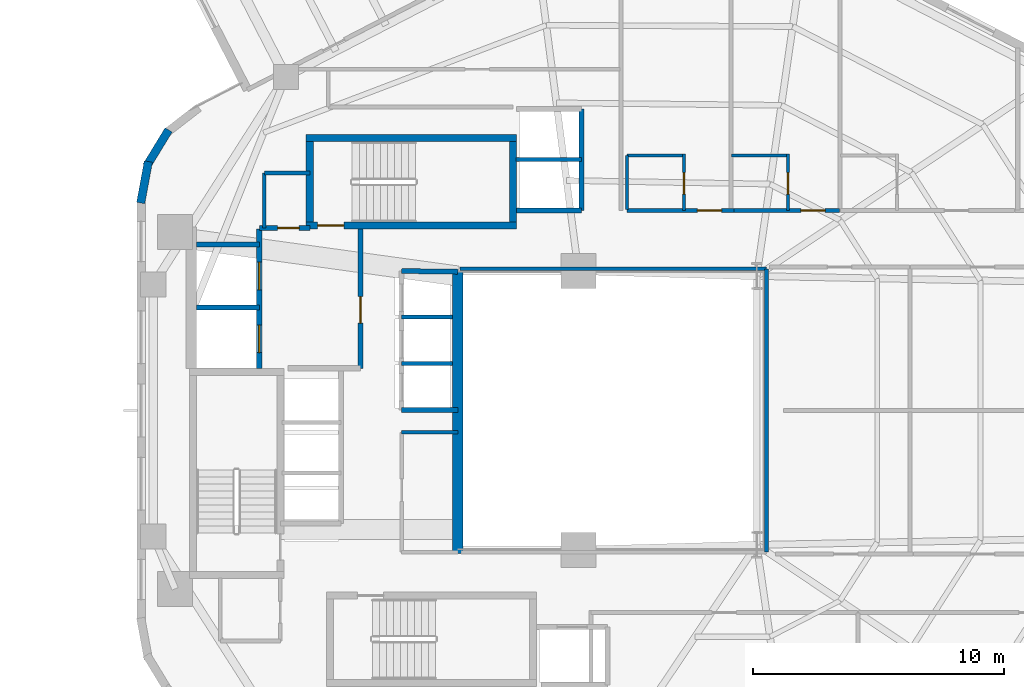
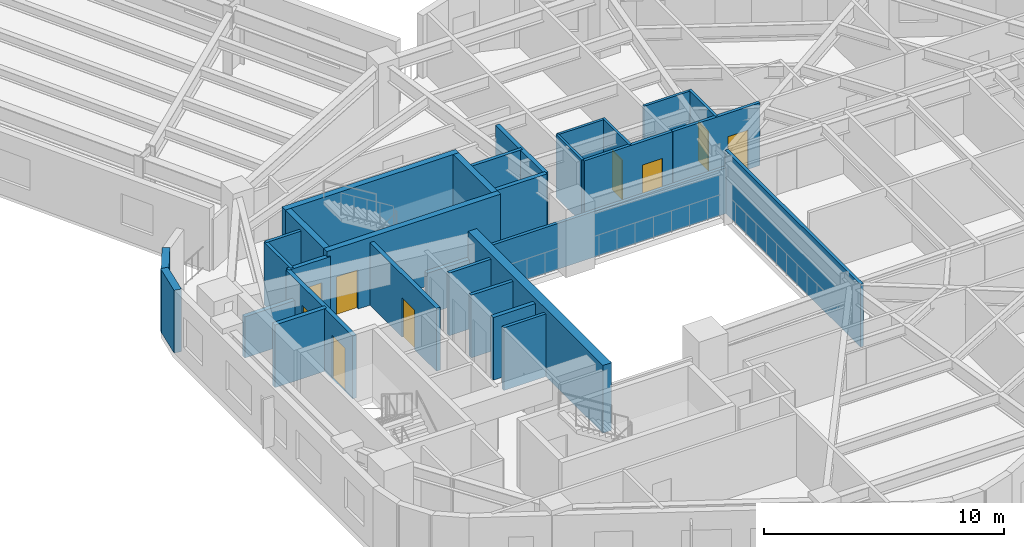
# One storey, part 7 of 11: 31 walls, 9 doors, 9 openings.
"""IFC4 building model written with IfcOpenShell, lengths in metres."""

from ifc_helpers import new_model, si_unit, direction, frame, frame_2d, origin, place, context, subcontext, project, spatial, rectangle, extrude, material, layer, layer_set, type_object, element, fill, save


model = new_model("IFC4")

# Units and contexts
model_context = context("Model", 3, precision=1e-05, world=origin(), true_north=direction((0.0, 1.0)))
body_context = subcontext(model_context, "Body", "Model", "MODEL_VIEW")
ifc_project = project(units=[si_unit("LENGTHUNIT", "METRE"), si_unit("AREAUNIT", "SQUARE_METRE"), si_unit("VOLUMEUNIT", "CUBIC_METRE"), si_unit("PLANEANGLEUNIT", "RADIAN"), si_unit("MASSUNIT", "GRAM", prefix="KILO"), si_unit("THERMODYNAMICTEMPERATUREUNIT", "KELVIN"), si_unit("POWERUNIT", "WATT")], contexts=[model_context])

# Site, building, storey
site_placement = place(None, origin())
site = spatial("IfcSite", under=ifc_project, at=site_placement, CompositionType="ELEMENT")
building_placement = place(site_placement, origin())
building = spatial("IfcBuilding", under=site, at=building_placement, Name="Skarre Station Tower", CompositionType="ELEMENT")
storey_placement = place(building_placement, frame((0.0, 0.0, 146.39990234375)))
storey = spatial("IfcBuildingStorey", under=building, at=storey_placement, Name="L39", CompositionType="ELEMENT", Elevation=146.39990234375)

# Walls
ifc_material_1 = material(Name="Acoustic Steel-Stud Gypsum Partition", Category="steel")
ifc_layer_1 = layer(ifc_material_1, 0.14990234375, Name="Acoustic Steel-Stud Gypsum Partition")
ifc_layer_set_1 = layer_set([ifc_layer_1], Name="Acoustic Steel-Stud Gypsum Partition")
wall_type_1 = type_object("IfcWallType", Name="Fire-Rated Corridor Acoustic Partition 150", PredefinedType="PARTITIONING", material=ifc_layer_set_1)
wall_1_placement = place(storey_placement, frame((25.320068359375, 23.1298828125, 0.0), z_axis=(0.0, 0.0, 1.0), x_axis=(1.0, 0.0, 0.0)))
element("IfcWall", 1, at=wall_1_placement, inside=storey, type_object=wall_type_1, Name="L39 Interior Partition WL-PT-L39-RC1-N3", PredefinedType="PARTITIONING", context=body_context, shape_type="SweptSolid", body=[
    extrude(rectangle(XDim=2.22998046875, YDim=0.14990234375, at=frame_2d((1.114990234375, 0.0))), origin(), (0.0, 0.0, 1.0), 3.190185546875),
])
wall_2_placement = place(storey_placement, frame((19.85009765625, 33.449951171875, 0.0), z_axis=(0.0, 0.0, 1.0), x_axis=(0.0, -1.0, 0.0)))
element("IfcWall", 2, at=wall_2_placement, inside=storey, type_object=wall_type_1, Name="L39 Interior Partition WL-PT-L39-CNW-W", PredefinedType="PARTITIONING", context=body_context, shape_type="SweptSolid", body=[
    extrude(rectangle(XDim=2.18994140625, YDim=0.14990234375, at=frame_2d((1.094970703125, 0.0))), origin(), (0.0, 0.0, 1.0), 3.190185546875),
])
wall_3_placement = place(storey_placement, frame((21.659912109375, 33.449951171875, 0.0), z_axis=(0.0, 0.0, 1.0), x_axis=(-1.0, 0.0, 0.0)))
element("IfcWall", 3, at=wall_3_placement, inside=storey, type_object=wall_type_1, Name="L39 Interior Partition WL-PT-L39-CNW-N1", PredefinedType="PARTITIONING", context=body_context, shape_type="SweptSolid", body=[
    extrude(rectangle(XDim=1.809814453125, YDim=0.14990234375, at=frame_2d((0.90478515625, 0.0))), origin(), (0.0, 0.0, 1.0), 3.190185546875),
])
wall_4_placement = place(storey_placement, frame((39.840087890625, 29.639892578125, 0.0), z_axis=(0.0, 0.0, 1.0), x_axis=(-1.0, 0.0, 0.0)))
element("IfcWall", 4, at=wall_4_placement, inside=storey, type_object=wall_type_1, Name="L39 Interior Partition WL-PT-L39-ATRW-N", PredefinedType="PARTITIONING", context=body_context, shape_type="SweptSolid", body=[
    extrude(rectangle(XDim=12.2001953125, YDim=0.14990234375, at=frame_2d((6.10009765625, 0.0))), origin(), (0.0, 0.0, 1.0), 2.3310546875),
])
wall_5_placement = place(storey_placement, frame((39.840087890625, 18.360107421875, 0.0), z_axis=(0.0, 0.0, 1.0), x_axis=(0.0, 1.0, 0.0)))
element("IfcWall", 5, at=wall_5_placement, inside=storey, type_object=wall_type_1, Name="L39 Interior Partition WL-PT-L39-ATRW-E", PredefinedType="PARTITIONING", context=body_context, shape_type="SweptSolid", body=[
    extrude(rectangle(XDim=11.27978515625, YDim=0.14990234375, at=frame_2d((5.639892578125, 0.0))), origin(), (0.0, 0.0, 1.0), 3.190185546875),
])

# Wall, opening, door
wall_6_placement = place(storey_placement, frame((38.5390625, 31.9599609375, 0.0), z_axis=(0.0, 0.0, 1.0), x_axis=(-1.0, 0.0, 0.0)))
wall_6 = element("IfcWall", 6, at=wall_6_placement, inside=storey, type_object=wall_type_1, Name="L39 Interior Partition WL-PT-L39-NW1-CW", PredefinedType="PARTITIONING", context=body_context, shape_type="SweptSolid", body=[
    extrude(rectangle(XDim=4.2490234375, YDim=0.14990234375, at=frame_2d((2.12451171875, 0.0))), origin(), (0.0, 0.0, 1.0), 3.190185546875),
])
opening_1_placement = place(wall_6_placement, frame((0.488037109375, 0.0, 0.0)))
opening_1 = element("IfcOpeningElement", 7, at=opening_1_placement, cuts=wall_6, Name="Opening DR-FD60", PredefinedType="OPENING", context=body_context, shape_type="SweptSolid", body=[
    extrude(rectangle(XDim=0.9599609375, YDim=2.0, at=frame_2d((0.47998046875, 1.0))), frame((0.0, 0.0849609375, 0.0), z_axis=(0.0, -1.0, 0.0), x_axis=(1.0, 0.0, 0.0)), (0.0, 0.0, 1.0), 0.169921875),
])
ifc_material_2 = material(Name="Nordic White-Oak Veneer Solid-Core Fire Leaf", Category="wood")
door_type_1 = type_object("IfcDoorType", Name="Corridor Suite Entry Fire Door FD60 960x2150", OperationType="SINGLE_SWING_LEFT", PredefinedType="DOOR", material=ifc_material_2)
door_1_placement = place(opening_1_placement, origin())
door_1 = element("IfcDoor", 8, at=door_1_placement, inside=storey, type_object=door_type_1, Name="L39 NW1 Entry Door", OperationType="SINGLE_SWING_LEFT", OverallHeight=2.0, OverallWidth=0.9599609375, PredefinedType="DOOR", context=body_context, shape_type="SweptSolid", body=[
    extrude(rectangle(XDim=0.9599609375, YDim=2.0, at=frame_2d((0.47998046875, 1.0))), frame((0.0, 0.02490234375, 0.0), z_axis=(0.0, -1.0, 0.0), x_axis=(1.0, 0.0, 0.0)), (0.0, 0.0, 1.0), 0.050048828125),
])
fill(opening_1, door_1)

wall_7_placement = place(storey_placement, frame((42.741943359375, 31.9599609375, 0.0), z_axis=(0.0, 0.0, 1.0), x_axis=(-1.0, 0.0, 0.0)))
wall_7 = element("IfcWall", 9, at=wall_7_placement, inside=storey, type_object=wall_type_1, Name="L39 Interior Partition WL-PT-L39-NW2-CW", PredefinedType="PARTITIONING", context=body_context, shape_type="SweptSolid", body=[
    extrude(rectangle(XDim=4.19287109375, YDim=0.14990234375, at=frame_2d((2.096435546875, 0.0))), origin(), (0.0, 0.0, 1.0), 3.190185546875),
])
opening_2_placement = place(wall_7_placement, frame((0.573974609375, 0.0, 0.0)))
opening_2 = element("IfcOpeningElement", 10, at=opening_2_placement, cuts=wall_7, Name="Opening DR-FD60", PredefinedType="OPENING", context=body_context, shape_type="SweptSolid", body=[
    extrude(rectangle(XDim=0.9599609375, YDim=2.0, at=frame_2d((0.47998046875, 1.0))), frame((0.0, 0.0849609375, 0.0), z_axis=(0.0, -1.0, 0.0), x_axis=(1.0, 0.0, 0.0)), (0.0, 0.0, 1.0), 0.169921875),
])
door_2_placement = place(opening_2_placement, origin())
door_2 = element("IfcDoor", 11, at=door_2_placement, inside=storey, type_object=door_type_1, Name="L39 NW2 Entry Door", OperationType="SINGLE_SWING_LEFT", OverallHeight=2.0, OverallWidth=0.9599609375, PredefinedType="DOOR", context=body_context, shape_type="SweptSolid", body=[
    extrude(rectangle(XDim=0.9599609375, YDim=2.0, at=frame_2d((0.47998046875, 1.0))), frame((0.0, 0.02490234375, 0.0), z_axis=(0.0, -1.0, 0.0), x_axis=(1.0, 0.0, 0.0)), (0.0, 0.0, 1.0), 0.050048828125),
])
fill(opening_2, door_2)

ifc_material_3 = material(Name="Insulated Timber-Stud Gypsum Partition", Category="wood")
ifc_layer_2 = layer(ifc_material_3, 0.1201171875, Name="Insulated Timber-Stud Gypsum Partition")
ifc_layer_set_2 = layer_set([ifc_layer_2], Name="Insulated Timber-Stud Gypsum Partition")
wall_type_2 = type_object("IfcWallType", Name="Internal Suite Acoustic Partition 120", PredefinedType="PARTITIONING", material=ifc_layer_set_2)
wall_8_placement = place(storey_placement, frame((36.550048828125, 31.9599609375, 0.0), z_axis=(0.0, 0.0, 1.0), x_axis=(0.0, 1.0, 0.0)))
wall_8 = element("IfcWall", 12, at=wall_8_placement, inside=storey, type_object=wall_type_2, Name="L39 Interior Partition WL-PT-L39-NW1-EW2", PredefinedType="PARTITIONING", context=body_context, shape_type="SweptSolid", body=[
    extrude(rectangle(XDim=2.239990234375, YDim=0.1201171875, at=frame_2d((1.1201171875, 0.0))), origin(), (0.0, 0.0, 1.0), 3.190185546875),
])
opening_3_placement = place(wall_8_placement, frame((0.64990234375, 0.0, 0.0)))
opening_3 = element("IfcOpeningElement", 13, at=opening_3_placement, cuts=wall_8, Name="Opening DR-INT86", PredefinedType="OPENING", context=body_context, shape_type="SweptSolid", body=[
    extrude(rectangle(XDim=0.860107421875, YDim=2.0, at=frame_2d((0.43017578125, 1.0))), frame((0.0, 0.070068359375, 0.0), z_axis=(0.0, -1.0, 0.0), x_axis=(1.0, 0.0, 0.0)), (0.0, 0.0, 1.0), 0.14013671875),
])
ifc_material_4 = material(Name="Nordic Birch Acoustic Solid-Core Timber Leaf", Category="wood")
door_type_2 = type_object("IfcDoorType", Name="Internal En-Suite & Bedroom Door 860x2100", OperationType="SINGLE_SWING_LEFT", PredefinedType="DOOR", material=ifc_material_4)
door_3_placement = place(opening_3_placement, origin())
door_3 = element("IfcDoor", 14, at=door_3_placement, inside=storey, type_object=door_type_2, Name="L39 NW1 En-suite Door", OperationType="SINGLE_SWING_LEFT", OverallHeight=2.0, OverallWidth=0.860107421875, PredefinedType="DOOR", context=body_context, shape_type="SweptSolid", body=[
    extrude(rectangle(XDim=0.860107421875, YDim=2.0, at=frame_2d((0.43017578125, 1.0))), frame((0.0, 0.02490234375, 0.0), z_axis=(0.0, -1.0, 0.0), x_axis=(1.0, 0.0, 0.0)), (0.0, 0.0, 1.0), 0.050048828125),
])
fill(opening_3, door_3)

# Walls
wall_9_placement = place(storey_placement, frame((36.610107421875, 34.139892578125, 0.0), z_axis=(0.0, 0.0, 1.0), x_axis=(-1.0, 0.0, 0.0)))
element("IfcWall", 15, at=wall_9_placement, inside=storey, type_object=wall_type_2, Name="L39 Interior Partition WL-PT-L39-NW1-EW3", PredefinedType="PARTITIONING", context=body_context, shape_type="SweptSolid", body=[
    extrude(rectangle(XDim=2.320068359375, YDim=0.1201171875, at=frame_2d((1.16015625, 0.0))), origin(), (0.0, 0.0, 1.0), 3.190185546875),
])
wall_10_placement = place(storey_placement, frame((34.2900390625, 34.139892578125, 0.0), z_axis=(0.0, 0.0, 1.0), x_axis=(0.0, -1.0, 0.0)))
element("IfcWall", 16, at=wall_10_placement, inside=storey, type_object=wall_type_2, Name="L39 Interior Partition WL-PT-L39-NW1-EW4", PredefinedType="PARTITIONING", context=body_context, shape_type="SweptSolid", body=[
    extrude(rectangle(XDim=2.139892578125, YDim=0.1201171875, at=frame_2d((1.06982421875, 0.0))), origin(), (0.0, 0.0, 1.0), 3.190185546875),
])

# Wall, opening, door
wall_11_placement = place(storey_placement, frame((40.695068359375, 31.9599609375, 0.0), z_axis=(0.0, 0.0, 1.0), x_axis=(0.0, 1.0, 0.0)))
wall_11 = element("IfcWall", 17, at=wall_11_placement, inside=storey, type_object=wall_type_2, Name="L39 Interior Partition WL-PT-L39-NW2-EW2", PredefinedType="PARTITIONING", context=body_context, shape_type="SweptSolid", body=[
    extrude(rectangle(XDim=2.239990234375, YDim=0.1201171875, at=frame_2d((1.1201171875, 0.0))), origin(), (0.0, 0.0, 1.0), 3.190185546875),
])
opening_4_placement = place(wall_11_placement, frame((0.64990234375, 0.0, 0.0)))
opening_4 = element("IfcOpeningElement", 18, at=opening_4_placement, cuts=wall_11, Name="Opening DR-INT86", PredefinedType="OPENING", context=body_context, shape_type="SweptSolid", body=[
    extrude(rectangle(XDim=0.860107421875, YDim=2.0, at=frame_2d((0.43017578125, 1.0))), frame((0.0, 0.070068359375, 0.0), z_axis=(0.0, -1.0, 0.0), x_axis=(1.0, 0.0, 0.0)), (0.0, 0.0, 1.0), 0.14013671875),
])
door_4_placement = place(opening_4_placement, origin())
door_4 = element("IfcDoor", 19, at=door_4_placement, inside=storey, type_object=door_type_2, Name="L39 NW2 En-suite Door", OperationType="SINGLE_SWING_LEFT", OverallHeight=2.0, OverallWidth=0.860107421875, PredefinedType="DOOR", context=body_context, shape_type="SweptSolid", body=[
    extrude(rectangle(XDim=0.860107421875, YDim=2.0, at=frame_2d((0.43017578125, 1.0))), frame((0.0, 0.02490234375, 0.0), z_axis=(0.0, -1.0, 0.0), x_axis=(1.0, 0.0, 0.0)), (0.0, 0.0, 1.0), 0.050048828125),
])
fill(opening_4, door_4)

# Walls
wall_12_placement = place(storey_placement, frame((40.7548828125, 34.139892578125, 0.0), z_axis=(0.0, 0.0, 1.0), x_axis=(-1.0, 0.0, 0.0)))
element("IfcWall", 20, at=wall_12_placement, inside=storey, type_object=wall_type_2, Name="L39 Interior Partition WL-PT-L39-NW2-EW3", PredefinedType="PARTITIONING", context=body_context, shape_type="SweptSolid", body=[
    extrude(rectangle(XDim=2.31982421875, YDim=0.1201171875, at=frame_2d((1.159912109375, 0.0))), origin(), (0.0, 0.0, 1.0), 3.190185546875),
])
ifc_material_5 = material(Name="Precast concrete C45/55", Category="concrete")
ifc_layer_3 = layer(ifc_material_5, 0.330078125, Name="Precast concrete C45/55")
ifc_layer_set_3 = layer_set([ifc_layer_3], Name="Precast concrete C45/55")
wall_type_3 = type_object("IfcWallType", Name="Nordic Rounded Corner Precast Wall 330", PredefinedType="STANDARD", material=ifc_layer_set_3)
wall_13_placement = place(storey_placement, frame((14.931884765625, 32.258056640625, 0.0), z_axis=(0.0, 0.0, 1.0), x_axis=(0.181984991895, 0.983301308209, 0.0)))
element("IfcWall", 21, at=wall_13_placement, inside=storey, type_object=wall_type_3, Name="L39 Rounded Corner Precast Wall F2-1", PredefinedType="STANDARD", context=body_context, shape_type="SweptSolid", body=[
    extrude(rectangle(XDim=1.677001953125, YDim=0.330078125, at=frame_2d((0.83837890625, 0.0))), origin(), (0.0, 0.0, 1.0), 3.190185546875),
])
wall_14_placement = place(storey_placement, frame((15.169921875, 33.73193359375, 0.0), z_axis=(0.0, 0.0, 1.0), x_axis=(0.520519429557, 0.853849824883, 0.0)))
element("IfcWall", 22, at=wall_14_placement, inside=storey, type_object=wall_type_3, Name="L39 Rounded Corner Precast Wall F2-2", PredefinedType="STANDARD", context=body_context, shape_type="SweptSolid", body=[
    extrude(rectangle(XDim=1.67724609375, YDim=0.330078125, at=frame_2d((0.838623046875, 0.0))), origin(), (0.0, 0.0, 1.0), 3.190185546875),
])

# Wall, opening, door
ifc_material_6 = material(Name="Concrete C50/60", Category="concrete")
ifc_layer_4 = layer(ifc_material_6, 0.280029296875, Name="Concrete C50/60")
ifc_layer_set_4 = layer_set([ifc_layer_4], Name="Concrete C50/60")
wall_type_4 = type_object("IfcWallType", Name="RC Core Shear Wall 280", PredefinedType="SHEAR", material=ifc_layer_set_4)
wall_15_placement = place(storey_placement, frame((21.52001953125, 31.360107421875, 0.0), z_axis=(0.0, 0.0, 1.0), x_axis=(1.0, 0.0, 0.0)))
wall_15 = element("IfcWall", 23, at=wall_15_placement, inside=storey, type_object=wall_type_4, Name="L39 Stair ST-3 South Shear Wall", PredefinedType="SHEAR", context=body_context, shape_type="SweptSolid", body=[
    extrude(rectangle(XDim=8.35986328125, YDim=0.280029296875, at=frame_2d((4.179931640625, 0.0))), origin(), (0.0, 0.0, 1.0), 3.4501953125),
])
opening_5_placement = place(wall_15_placement, frame((0.449951171875, 0.0, 0.0)))
opening_5 = element("IfcOpeningElement", 24, at=opening_5_placement, cuts=wall_15, Name="Opening DR-FD90", PredefinedType="OPENING", context=body_context, shape_type="SweptSolid", body=[
    extrude(rectangle(XDim=1.050048828125, YDim=2.0, at=frame_2d((0.52490234375, 1.0))), frame((0.0, 0.14990234375, 0.0), z_axis=(0.0, -1.0, 0.0), x_axis=(1.0, 0.0, 0.0)), (0.0, 0.0, 1.0), 0.300048828125),
])
ifc_material_7 = material(Name="Fire-Rated Insulated Steel Frame & Timber Core Leaf", Category="steel")
door_type_3 = type_object("IfcDoorType", Name="Stair & FSAE Lobby Fire Door FD90 1050x2150", OperationType="SINGLE_SWING_RIGHT", PredefinedType="DOOR", material=ifc_material_7)
door_5_placement = place(opening_5_placement, origin())
door_5 = element("IfcDoor", 25, at=door_5_placement, inside=storey, type_object=door_type_3, Name="L39 Stair ST-3 & FSAE Lobby Direct Exit Door", OperationType="SINGLE_SWING_LEFT", OverallHeight=2.0, OverallWidth=1.050048828125, PredefinedType="DOOR", context=body_context, shape_type="SweptSolid", body=[
    extrude(rectangle(XDim=1.050048828125, YDim=2.0, at=frame_2d((0.52490234375, 1.0))), frame((0.0, 0.02490234375, 0.0), z_axis=(0.0, -1.0, 0.0), x_axis=(1.0, 0.0, 0.0)), (0.0, 0.0, 1.0), 0.050048828125),
])
fill(opening_5, door_5)

# Walls
wall_16_placement = place(storey_placement, frame((29.8798828125, 34.840087890625, 0.0), z_axis=(0.0, 0.0, 1.0), x_axis=(-1.0, 0.0, 0.0)))
element("IfcWall", 26, at=wall_16_placement, inside=storey, type_object=wall_type_4, Name="L39 Stair ST-3 North Shear Wall", PredefinedType="SHEAR", context=body_context, shape_type="SweptSolid", body=[
    extrude(rectangle(XDim=8.35986328125, YDim=0.280029296875, at=frame_2d((4.179931640625, 0.0))), origin(), (0.0, 0.0, 1.0), 3.4501953125),
])
for number, where, z_axis, x_axis, name in (
    (27, (21.659912109375, 34.699951171875, 0.0), (0.0, 0.0, 1.0), (0.0, -1.0, 0.0), "L39 Stair ST-3 West Shear Wall"),
    (28, (29.739990234375, 31.5, 0.0), (0.0, 0.0, 1.0), (0.0, 1.0, 0.0), "L39 Stair ST-3 East Shear Wall"),
):
    element("IfcWall", number, at=place(storey_placement, frame(where, z_axis=z_axis, x_axis=x_axis)), inside=storey, type_object=wall_type_4, Name=name, PredefinedType="SHEAR", context=body_context, shape_type="SweptSolid", body=[
        extrude(rectangle(XDim=3.199951171875, YDim=0.280029296875, at=frame_2d((1.60009765625, 0.0))), origin(), (0.0, 0.0, 1.0), 3.4501953125),
    ])
ifc_material_8 = material(Name="Concrete C60/75", Category="concrete")
ifc_layer_5 = layer(ifc_material_8, 0.419921875, Name="Concrete C60/75")
ifc_layer_set_5 = layer_set([ifc_layer_5], Name="Concrete C60/75")
wall_type_5 = type_object("IfcWallType", Name="RC Core Shear Wall 420", PredefinedType="SHEAR", material=ifc_layer_set_5)
wall_17_placement = place(storey_placement, frame((27.550048828125, 29.550048828125, 0.0), z_axis=(0.0, 0.0, 1.0), x_axis=(0.0, -1.0, 0.0)))
element("IfcWall", 29, at=wall_17_placement, inside=storey, type_object=wall_type_5, Name="L39 Core East Atrium Shear Wall", PredefinedType="SHEAR", context=body_context, shape_type="SweptSolid", body=[
    extrude(rectangle(XDim=11.25, YDim=0.419921875, at=frame_2d((5.625, 0.0))), origin(), (0.0, 0.0, 1.0), 3.4501953125),
])

# Wall, openings, doors
ifc_material_9 = material(Name="Gypsum Concrete Shaft Assembly C30/37", Category="concrete")
ifc_layer_6 = layer(ifc_material_9, 0.199951171875, Name="Gypsum Concrete Shaft Assembly C30/37")
ifc_layer_set_6 = layer_set([ifc_layer_6], Name="Gypsum Concrete Shaft Assembly C30/37")
wall_type_6 = type_object("IfcWallType", Name="Shaft & Core Fire Partition 200", PredefinedType="PARTITIONING", material=ifc_layer_set_6)
wall_18_placement = place(storey_placement, frame((19.64990234375, 25.679931640625, 0.0), z_axis=(0.0, 0.0, 1.0), x_axis=(0.0, 1.0, 0.0)))
wall_18 = element("IfcWall", 30, at=wall_18_placement, inside=storey, type_object=wall_type_6, Name="L39 Interior Partition WL-PT-L39-FSAE-W", PredefinedType="PARTITIONING", context=body_context, shape_type="SweptSolid", body=[
    extrude(rectangle(XDim=5.5400390625, YDim=0.199951171875, at=frame_2d((2.77001953125, 0.0))), origin(), (0.0, 0.0, 1.0), 3.190185546875),
])
opening_6_placement = place(wall_18_placement, frame((0.6201171875, 0.0, 0.0)))
opening_6 = element("IfcOpeningElement", 31, at=opening_6_placement, cuts=wall_18, Name="Opening LD-FF1", PredefinedType="OPENING", context=body_context, shape_type="SweptSolid", body=[
    extrude(rectangle(XDim=1.10009765625, YDim=2.199951171875, at=frame_2d((0.550048828125, 1.10009765625))), frame((0.0, 0.10986328125, 0.0), z_axis=(0.0, -1.0, 0.0), x_axis=(1.0, 0.0, 0.0)), (0.0, 0.0, 1.0), 0.219970703125),
])
opening_7_placement = place(wall_18_placement, frame((3.1201171875, 0.0, 0.0)))
opening_7 = element("IfcOpeningElement", 32, at=opening_7_placement, cuts=wall_18, Name="Opening LD-FF2", PredefinedType="OPENING", context=body_context, shape_type="SweptSolid", body=[
    extrude(rectangle(XDim=1.10009765625, YDim=2.199951171875, at=frame_2d((0.550048828125, 1.10009765625))), frame((0.0, 0.10986328125, 0.0), z_axis=(0.0, -1.0, 0.0), x_axis=(1.0, 0.0, 0.0)), (0.0, 0.0, 1.0), 0.219970703125),
])
ifc_material_10 = material(Name="Fire-Rated Stainless Steel Grade 316L Sliding Leaves", Category="steel")
door_type_4 = type_object("IfcDoorType", Name="Fire Service Access Elevator Sliding Landing Door 1100x2200", OperationType="SLIDING_TO_LEFT", PredefinedType="DOOR", material=ifc_material_10)
door_6_placement = place(opening_6_placement, origin())
door_6 = element("IfcDoor", 33, at=door_6_placement, inside=storey, type_object=door_type_4, Name="L39 Firefighting Lift LF-FF1 Landing Door", OperationType="SLIDING_TO_LEFT", OverallHeight=2.199951171875, OverallWidth=1.10009765625, PredefinedType="DOOR", context=body_context, shape_type="SweptSolid", body=[
    extrude(rectangle(XDim=1.10009765625, YDim=2.199951171875, at=frame_2d((0.550048828125, 1.10009765625))), frame((0.0, 0.02490234375, 0.0), z_axis=(0.0, -1.0, 0.0), x_axis=(1.0, 0.0, 0.0)), (0.0, 0.0, 1.0), 0.050048828125),
])
fill(opening_6, door_6)
door_7_placement = place(opening_7_placement, origin())
door_7 = element("IfcDoor", 34, at=door_7_placement, inside=storey, type_object=door_type_4, Name="L39 Firefighting Lift LF-FF2 Landing Door", OperationType="SLIDING_TO_LEFT", OverallHeight=2.199951171875, OverallWidth=1.10009765625, PredefinedType="DOOR", context=body_context, shape_type="SweptSolid", body=[
    extrude(rectangle(XDim=1.10009765625, YDim=2.199951171875, at=frame_2d((0.550048828125, 1.10009765625))), frame((0.0, 0.02490234375, 0.0), z_axis=(0.0, -1.0, 0.0), x_axis=(1.0, 0.0, 0.0)), (0.0, 0.0, 1.0), 0.050048828125),
])
fill(opening_7, door_7)

# Wall, opening, door
wall_19_placement = place(storey_placement, frame((23.679931640625, 25.679931640625, 0.0), z_axis=(0.0, 0.0, 1.0), x_axis=(0.0, 1.0, 0.0)))
wall_19 = element("IfcWall", 35, at=wall_19_placement, inside=storey, type_object=wall_type_6, Name="L39 Interior Partition WL-PT-L39-FSAE-E", PredefinedType="PARTITIONING", context=body_context, shape_type="SweptSolid", body=[
    extrude(rectangle(XDim=5.5400390625, YDim=0.199951171875, at=frame_2d((2.77001953125, 0.0))), origin(), (0.0, 0.0, 1.0), 3.190185546875),
])
opening_8_placement = place(wall_19_placement, frame((1.800048828125, 0.0, 0.0)))
opening_8 = element("IfcOpeningElement", 36, at=opening_8_placement, cuts=wall_19, Name="Opening DR-FD90", PredefinedType="OPENING", context=body_context, shape_type="SweptSolid", body=[
    extrude(rectangle(XDim=1.050048828125, YDim=2.0, at=frame_2d((0.52490234375, 1.0))), frame((0.0, 0.10986328125, 0.0), z_axis=(0.0, -1.0, 0.0), x_axis=(1.0, 0.0, 0.0)), (0.0, 0.0, 1.0), 0.219970703125),
])
door_8_placement = place(opening_8_placement, origin())
door_8 = element("IfcDoor", 37, at=door_8_placement, inside=storey, type_object=door_type_3, Name="L39 FSAE Lobby Fire Door", OperationType="SINGLE_SWING_RIGHT", OverallHeight=2.0, OverallWidth=1.050048828125, PredefinedType="DOOR", context=body_context, shape_type="SweptSolid", body=[
    extrude(rectangle(XDim=1.050048828125, YDim=2.0, at=frame_2d((0.52490234375, 1.0))), frame((0.0, 0.02490234375, 0.0), z_axis=(0.0, -1.0, 0.0), x_axis=(1.0, 0.0, 0.0)), (0.0, 0.0, 1.0), 0.050048828125),
])
fill(opening_8, door_8)

wall_20_placement = place(storey_placement, frame((21.659912109375, 31.260009765625, 0.0), z_axis=(0.0, 0.0, 1.0), x_axis=(-1.0, 0.0, 0.0)))
wall_20 = element("IfcWall", 38, at=wall_20_placement, inside=storey, type_object=wall_type_6, Name="L39 Interior Partition WL-PT-L39-FSAE-N", PredefinedType="PARTITIONING", context=body_context, shape_type="SweptSolid", body=[
    extrude(rectangle(XDim=2.010009765625, YDim=0.199951171875, at=frame_2d((1.0048828125, 0.0))), origin(), (0.0, 0.0, 1.0), 3.190185546875),
])
opening_9_placement = place(wall_20_placement, frame((0.419921875, 0.0, 0.0)))
opening_9 = element("IfcOpeningElement", 39, at=opening_9_placement, cuts=wall_20, Name="Opening DR-SVC86", PredefinedType="OPENING", context=body_context, shape_type="SweptSolid", body=[
    extrude(rectangle(XDim=0.860107421875, YDim=2.0, at=frame_2d((0.43017578125, 1.0))), frame((0.0, 0.10986328125, 0.0), z_axis=(0.0, -1.0, 0.0), x_axis=(1.0, 0.0, 0.0)), (0.0, 0.0, 1.0), 0.219970703125),
])
ifc_material_11 = material(Name="Powder-Coated Hollow-Metal Acoustic Fire Leaf", Category="steel")
door_type_5 = type_object("IfcDoorType", Name="Compact Riser Fire Door FD60 860x2100", OperationType="SINGLE_SWING_LEFT", PredefinedType="DOOR", material=ifc_material_11)
door_9_placement = place(opening_9_placement, origin())
door_9 = element("IfcDoor", 40, at=door_9_placement, inside=storey, type_object=door_type_5, Name="L39 Core Service Room Lobby Door", OperationType="SINGLE_SWING_LEFT", OverallHeight=2.0, OverallWidth=0.860107421875, PredefinedType="DOOR", context=body_context, shape_type="SweptSolid", body=[
    extrude(rectangle(XDim=0.860107421875, YDim=2.0, at=frame_2d((0.43017578125, 1.0))), frame((0.0, 0.02490234375, 0.0), z_axis=(0.0, -1.0, 0.0), x_axis=(1.0, 0.0, 0.0)), (0.0, 0.0, 1.0), 0.050048828125),
])
fill(opening_9, door_9)

# Walls
wall_21_placement = place(storey_placement, frame((17.14990234375, 28.10009765625, 0.0), z_axis=(0.0, 0.0, 1.0), x_axis=(1.0, 0.0, 0.0)))
element("IfcWall", 41, at=wall_21_placement, inside=storey, type_object=wall_type_6, Name="L39 Interior Partition WL-PT-L39-FF-DIV", PredefinedType="PARTITIONING", context=body_context, shape_type="SweptSolid", body=[
    extrude(rectangle(XDim=2.5, YDim=0.199951171875, at=frame_2d((1.25, 0.0))), origin(), (0.0, 0.0, 1.0), 3.190185546875),
])
wall_22_placement = place(storey_placement, frame((19.64990234375, 30.60009765625, 0.0), z_axis=(0.0, 0.0, 1.0), x_axis=(-1.0, 0.0, 0.0)))
element("IfcWall", 42, at=wall_22_placement, inside=storey, type_object=wall_type_6, Name="L39 Interior Partition WL-PT-L39-FF-N", PredefinedType="PARTITIONING", context=body_context, shape_type="SweptSolid", body=[
    extrude(rectangle(XDim=2.5, YDim=0.199951171875, at=frame_2d((1.25, 0.0))), origin(), (0.0, 0.0, 1.0), 2.090087890625),
])
wall_23_placement = place(storey_placement, frame((32.47998046875, 31.949951171875, 0.0), z_axis=(0.0, 0.0, 1.0), x_axis=(0.0, 1.0, 0.0)))
element("IfcWall", 43, at=wall_23_placement, inside=storey, type_object=wall_type_6, Name="L39 Interior Partition WL-PT-L39-EX-E", PredefinedType="PARTITIONING", context=body_context, shape_type="SweptSolid", body=[
    extrude(rectangle(XDim=4.050048828125, YDim=0.199951171875, at=frame_2d((2.02490234375, 0.0))), origin(), (0.0, 0.0, 1.0), 3.190185546875),
])
wall_24_placement = place(storey_placement, frame((32.47998046875, 31.949951171875, 0.0), z_axis=(0.0, 0.0, 1.0), x_axis=(-1.0, 0.0, 0.0)))
element("IfcWall", 44, at=wall_24_placement, inside=storey, type_object=wall_type_6, Name="L39 Interior Partition WL-PT-L39-EX-S", PredefinedType="PARTITIONING", context=body_context, shape_type="SweptSolid", body=[
    extrude(rectangle(XDim=2.60009765625, YDim=0.199951171875, at=frame_2d((1.300048828125, 0.0))), origin(), (0.0, 0.0, 1.0), 3.190185546875),
])
wall_25_placement = place(storey_placement, frame((29.875, 33.97998046875, 0.0), z_axis=(0.0, 0.0, 1.0), x_axis=(1.0, 0.0, 0.0)))
element("IfcWall", 45, at=wall_25_placement, inside=storey, type_object=wall_type_6, Name="L39 Interior Partition WL-PT-L39-EX-DIV", PredefinedType="PARTITIONING", context=body_context, shape_type="SweptSolid", body=[
    extrude(rectangle(XDim=2.60498046875, YDim=0.159912109375, at=frame_2d((1.302490234375, 0.0))), origin(), (0.0, 0.0, 1.0), 3.190185546875),
])
wall_26_placement = place(storey_placement, frame((27.550048828125, 29.52001953125, 0.0), z_axis=(0.0, 0.0, 1.0), x_axis=(-0.999909343457, 0.013464949556, 0.0)))
element("IfcWall", 46, at=wall_26_placement, inside=storey, type_object=wall_type_6, Name="L39 Interior Partition WL-PT-L39-B2-N", PredefinedType="PARTITIONING", context=body_context, shape_type="SweptSolid", body=[
    extrude(rectangle(XDim=2.230224609375, YDim=0.199951171875, at=frame_2d((1.115234375, 0.0))), origin(), (0.0, 0.0, 1.0), 2.090087890625),
])
wall_27_placement = place(storey_placement, frame((25.320068359375, 24.02001953125, 0.0), z_axis=(0.0, 0.0, 1.0), x_axis=(1.0, 0.0, 0.0)))
element("IfcWall", 47, at=wall_27_placement, inside=storey, type_object=wall_type_6, Name="L39 Interior Partition WL-PT-L39-B2-S", PredefinedType="PARTITIONING", context=body_context, shape_type="SweptSolid", body=[
    extrude(rectangle(XDim=2.22998046875, YDim=0.199951171875, at=frame_2d((1.114990234375, 0.0))), origin(), (0.0, 0.0, 1.0), 3.190185546875),
])
for number, where, z_axis, x_axis, name in (
    (48, (25.320068359375, 25.8701171875, 0.0), (0.0, 0.0, 1.0), (1.0, 0.0, 0.0), "L39 Interior Partition WL-PT-L39-B2-D258"),
    (49, (25.320068359375, 27.719970703125, 0.0), (0.0, 0.0, 1.0), (1.0, 0.0, 0.0), "L39 Interior Partition WL-PT-L39-B2-D277"),
):
    element("IfcWall", number, at=place(storey_placement, frame(where, z_axis=z_axis, x_axis=x_axis)), inside=storey, type_object=wall_type_6, Name=name, PredefinedType="PARTITIONING", context=body_context, shape_type="SweptSolid", body=[
        extrude(rectangle(XDim=2.030029296875, YDim=0.159912109375, at=frame_2d((1.01513671875, 0.0))), origin(), (0.0, 0.0, 1.0), 3.190185546875),
    ])

save(model, "model.ifc")
